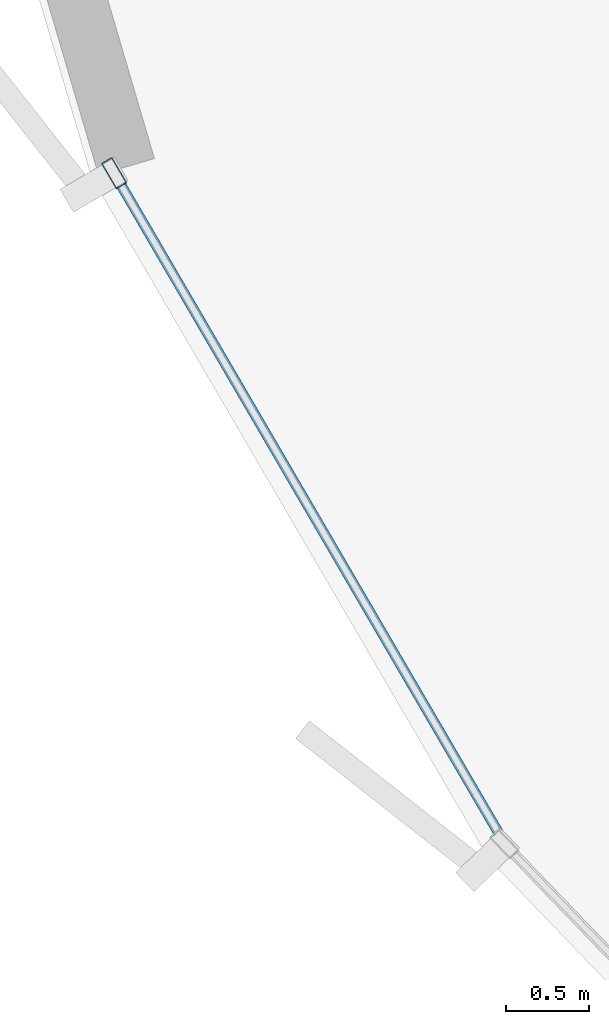
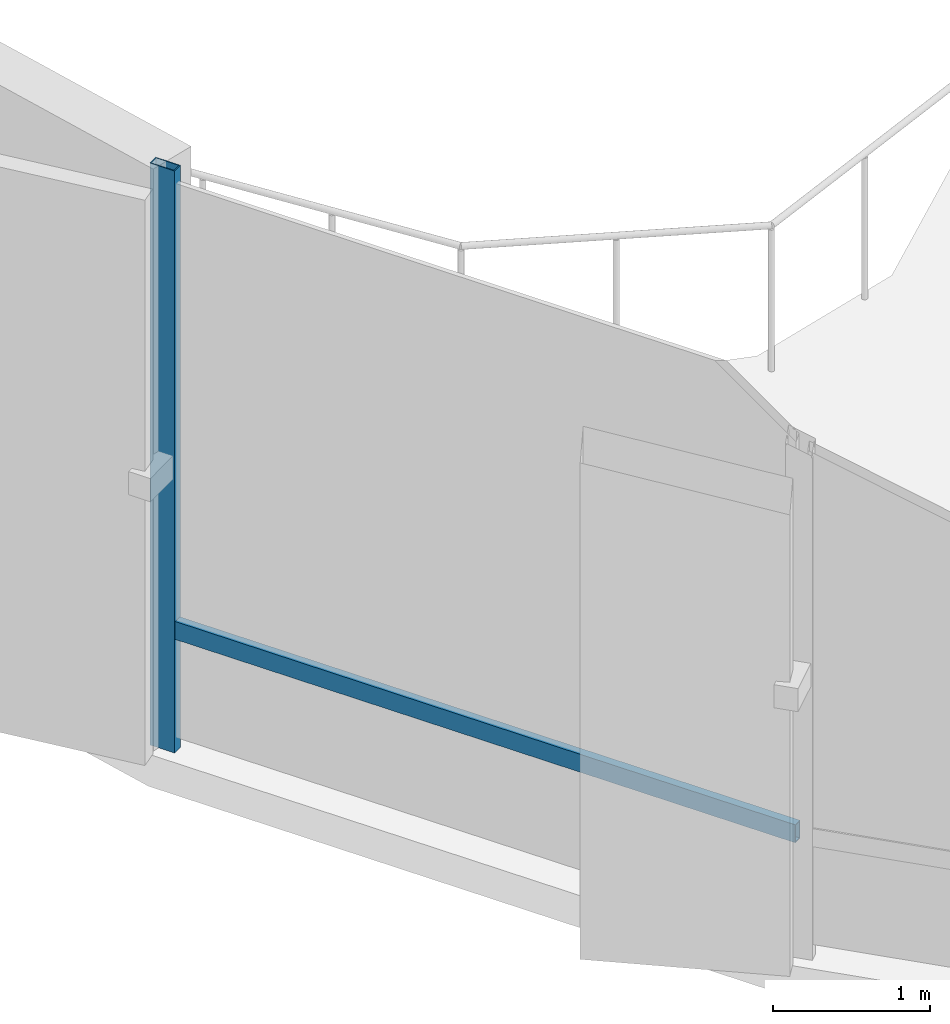
# One storey, part 3 of 33: 2 members, 1 element without a shape of its own.
"""IFC4 building model written with IfcOpenShell, lengths in metres."""

from ifc_helpers import new_model, si_unit, direction, frame, origin, origin_2d, place, context, subcontext, project, spatial, hollow_rectangle, extrude, source, transform, mapped, material, layer, layer_set, material_profile, profile_set, type_object, element, aggregate, save


model = new_model("IFC4")

# Units and contexts
model_context = context("Model", 3, precision=1e-05, world=origin(), true_north=direction((0.0, 1.0)))
body_context = subcontext(model_context, "Body", "Model", "MODEL_VIEW")
ifc_project = project(units=[si_unit("LENGTHUNIT", "METRE"), si_unit("AREAUNIT", "SQUARE_METRE"), si_unit("VOLUMEUNIT", "CUBIC_METRE"), si_unit("PLANEANGLEUNIT", "RADIAN"), si_unit("MASSUNIT", "GRAM", prefix="KILO"), si_unit("THERMODYNAMICTEMPERATUREUNIT", "KELVIN")], contexts=[model_context])

# Site, building, storey
site_placement = place(None, origin())
site = spatial("IfcSite", under=ifc_project, at=site_placement, CompositionType="ELEMENT")
building_placement = place(site_placement, origin())
building = spatial("IfcBuilding", under=site, at=building_placement, Name="Kethvar Cultural Tower", CompositionType="ELEMENT")
storey_placement = place(building_placement, frame((0.0, 0.0, 10.0)))
storey = spatial("IfcBuildingStorey", under=building, at=storey_placement, Name="L02", CompositionType="ELEMENT", Elevation=10.0)

# Curtain wall, members
ifc_material = material(Name="Aluminium 6063-T6", Category="aluminium")
ifc_layer = layer(ifc_material, 0.179931640625, Name="Aluminium 6063-T6", Category="aluminium")
ifc_layer_set = layer_set([ifc_layer], Name="Aluminium 6063-T6 (180 mm)")
curtain_wall_type = type_object("IfcCurtainWallType", Name="CW-SYS-01-POD", PredefinedType="NOTDEFINED", material=ifc_layer_set)
curtain_wall_placement = place(storey_placement, origin())
curtain_wall = element("IfcCurtainWall", 1, at=curtain_wall_placement, inside=storey, type_object=curtain_wall_type, Name="L02 Curtain Wall Run 04", PredefinedType="NOTDEFINED")
ifc_material_profile_1 = material_profile(ifc_material, hollow_rectangle(XDim=0.06005859375, YDim=0.139892578125, WallThickness=0.0048828125, at=origin_2d()), Name="Aluminium 6063-T6 — RHS140x60x5")
ifc_profile_set_1 = profile_set([ifc_material_profile_1], Name="Aluminium 6063-T6 — RHS140x60x5")
member_type_1 = type_object("IfcMemberType", Name="CW-SYS-01-POD-TRN", PredefinedType="USERDEFINED", material=ifc_profile_set_1)
shared_shape_1 = source(origin(), body_context, "Body", "SweptSolid", [
    extrude(hollow_rectangle(XDim=0.06005859375, YDim=0.139892578125, WallThickness=0.0048828125, at=origin_2d()), origin(), (0.0, 0.0, 1.0), 4.639892578125),
])
member_1_placement = place(storey_placement, frame((2.864501953125, 15.72705078125, 0.949951171875), z_axis=(0.503504560489, -0.863992568004, 0.0), x_axis=(0.863992568004, 0.503504560489, 0.0)))
member_1 = element("IfcMember", 2, at=member_1_placement, type_object=member_type_1, Name="CW-L02-R04 Transom 1", ObjectType="TRANSOM", PredefinedType="USERDEFINED", context=body_context, shape_type="MappedRepresentation", body=[
    mapped(shared_shape_1, transform((0.0, 0.0, 0.0), scale=1.0)),
])
ifc_material_profile_2 = material_profile(ifc_material, hollow_rectangle(XDim=0.074951171875, YDim=0.179931640625, WallThickness=0.006103515625, at=origin_2d()), Name="Aluminium 6063-T6 — RHS180x75x6")
ifc_profile_set_2 = profile_set([ifc_material_profile_2], Name="Aluminium 6063-T6 — RHS180x75x6")
member_type_2 = type_object("IfcMemberType", Name="CW-SYS-01-POD-MUL", PredefinedType="MULLION", material=ifc_profile_set_2)
shared_shape_2 = source(origin(), body_context, "Body", "SweptSolid", [
    extrude(hollow_rectangle(XDim=0.074951171875, YDim=0.179931640625, WallThickness=0.006103515625, at=origin_2d()), origin(), (0.0, 0.0, 1.0), 4.530029296875),
])
member_2_placement = place(storey_placement, frame((2.86181640625, 15.731689453125, 0.0), z_axis=(0.0, 0.0, 1.0), x_axis=(0.863984939927, 0.503517649721, 0.0)))
member_2 = element("IfcMember", 3, at=member_2_placement, type_object=member_type_2, Name="CW-L02-R04 Mullion 1", PredefinedType="MULLION", context=body_context, shape_type="MappedRepresentation", body=[
    mapped(shared_shape_2, transform((0.0, 0.0, 0.0), scale=1.0)),
])
aggregate(curtain_wall, [member_2, member_1])

save(model, "model.ifc")
